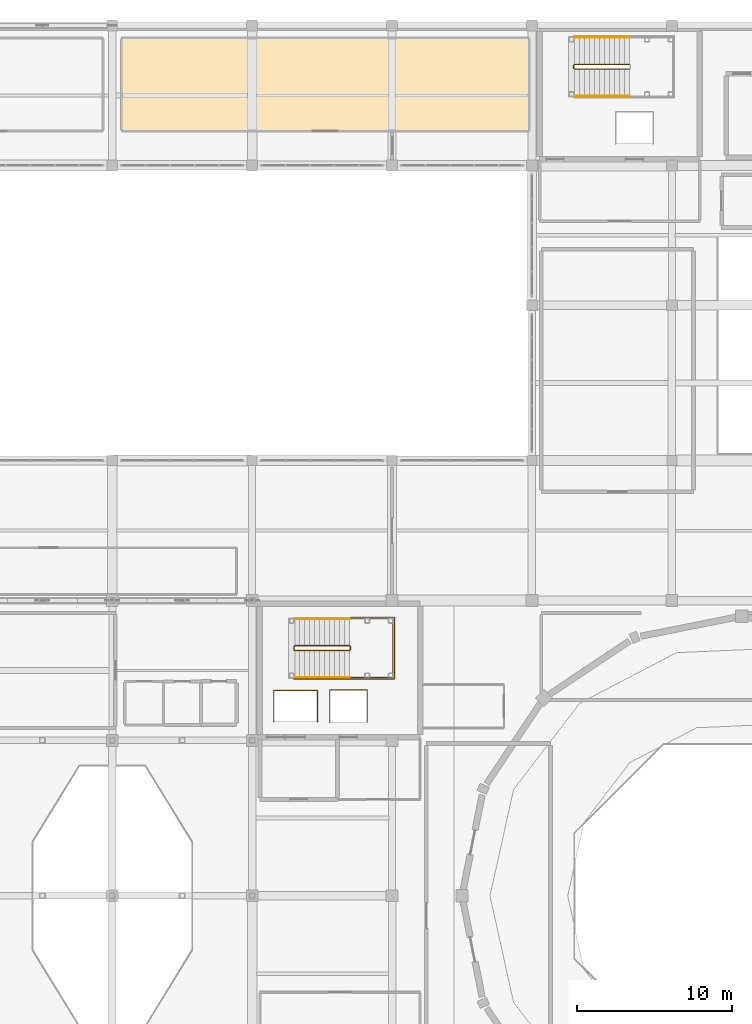
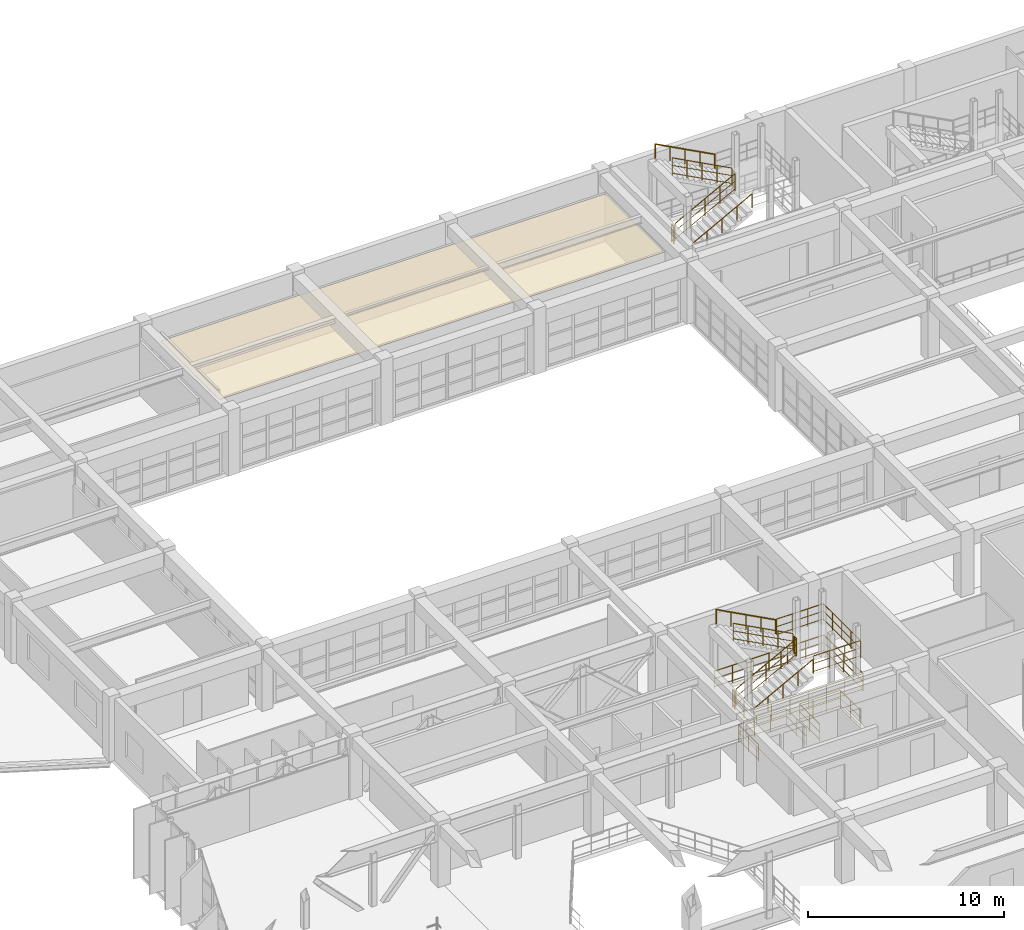
# One storey, part 126 of 130: 15 railings, 1 covering.
"""IFC4 building model written with IfcOpenShell, lengths in metres."""

from ifc_helpers import new_model, si_unit, direction, frame, origin, origin_2d, place, context, subcontext, project, spatial, polyline, circle, outline, extrude, material, layer, layer_set, type_object, element, save


model = new_model("IFC4")

# Units and contexts
model_context = context("Model", 3, precision=1e-05, world=origin(), true_north=direction((0.0, 1.0)))
body_context = subcontext(model_context, "Body", "Model", "MODEL_VIEW")
ifc_project = project(units=[si_unit("LENGTHUNIT", "METRE"), si_unit("AREAUNIT", "SQUARE_METRE"), si_unit("VOLUMEUNIT", "CUBIC_METRE"), si_unit("PLANEANGLEUNIT", "RADIAN"), si_unit("MASSUNIT", "GRAM", prefix="KILO")], contexts=[model_context])

# Site, building, storey
site_placement = place(None, origin())
site = spatial("IfcSite", under=ifc_project, at=site_placement, CompositionType="ELEMENT")
building_placement = place(site_placement, origin())
building = spatial("IfcBuilding", under=site, at=building_placement, Name="Miravela Opera House", CompositionType="ELEMENT")
storey_placement = place(building_placement, frame((0.0, 0.0, 9.52001953125)))
storey = spatial("IfcBuildingStorey", under=building, at=storey_placement, Name="L02", CompositionType="ELEMENT", Elevation=9.52001953125)

# Covering
ifc_material_1 = material(Name="Suspended acoustic gypsum board ceiling")
ifc_layer = layer(ifc_material_1, 0.02392578125)
ifc_layer_set = layer_set([ifc_layer])
covering_type = type_object("IfcCoveringType", Name="ARC-CEIL-GYPSUM-24", PredefinedType="CEILING", material=ifc_layer_set)
covering_placement = place(storey_placement, frame((0.0, 0.0, 2.889892578125)))
element("IfcCovering", 1, at=covering_placement, inside=storey, type_object=covering_type, Name="Orchestra Rehearsal Hall Acoustic Ceiling", PredefinedType="CEILING", context=body_context, shape_type="SweptSolid", body=[
    extrude(outline(polyline([(36.60009765625, 105.199951171875), (62.800048828125, 105.199951171875), (62.800048828125, 111.199951171875), (36.60009765625, 111.199951171875), (36.60009765625, 105.199951171875)])), origin(), (0.0, 0.0, 1.0), 0.024169921875),
])

# Railings
ifc_material_2 = material(Name="Brushed bronze continuous stair handrail")
railing_type_1 = type_object("IfcRailingType", Name="ARC-RAIL-HAND-900", PredefinedType="HANDRAIL", material=ifc_material_2)
railing_1_placement = place(storey_placement, frame((47.739990234375, 70.050048828125, 0.169921875)))
element("IfcRailing", 2, at=railing_1_placement, inside=storey, type_object=railing_type_1, Name="L02 ST-01 stair handrail 1", PredefinedType="HANDRAIL", context=body_context, shape_type="SweptSolid", body=[
    extrude(circle(Radius=0.02392578125, at=origin_2d()), frame((0.0, 0.0, 0.8759765625), z_axis=(0.883104616746, 0.0, 0.469176124586), x_axis=(0.0, 1.0, 0.0)), (0.0, 0.0, 1.0), 3.98583984375),
    extrude(circle(Radius=0.02099609375, at=origin_2d()), origin(), (0.0, 0.0, 1.0), 0.851806640625),
    extrude(circle(Radius=0.02099609375, at=origin_2d()), frame((0.8798828125, 0.0, 0.467529296875)), (0.0, 0.0, 1.0), 0.851806640625),
    extrude(circle(Radius=0.02099609375, at=origin_2d()), frame((1.760009765625, 0.0, 0.93505859375)), (0.0, 0.0, 1.0), 0.851806640625),
    extrude(circle(Radius=0.02099609375, at=origin_2d()), frame((2.64013671875, 0.0, 1.402587890625)), (0.0, 0.0, 1.0), 0.851806640625),
    extrude(circle(Radius=0.02099609375, at=origin_2d()), frame((3.52001953125, 0.0, 1.8701171875)), (0.0, 0.0, 1.0), 0.851806640625),
])
railing_2_placement = place(storey_placement, frame((51.260009765625, 73.830078125, 2.2099609375)))
element("IfcRailing", 3, at=railing_2_placement, inside=storey, type_object=railing_type_1, Name="L02 ST-01 stair handrail 2", PredefinedType="HANDRAIL", context=body_context, shape_type="SweptSolid", body=[
    extrude(circle(Radius=0.02392578125, at=origin_2d()), frame((0.0, 0.0, 0.8759765625), z_axis=(-0.883104616746, 0.0, 0.469176124586), x_axis=(0.0, -1.0, 0.0)), (0.0, 0.0, 1.0), 3.98583984375),
    extrude(circle(Radius=0.02099609375, at=origin_2d()), origin(), (0.0, 0.0, 1.0), 0.851806640625),
    extrude(circle(Radius=0.02099609375, at=origin_2d()), frame((-0.8798828125, 0.0, 0.467529296875)), (0.0, 0.0, 1.0), 0.851806640625),
    extrude(circle(Radius=0.02099609375, at=origin_2d()), frame((-1.760009765625, 0.0, 0.93505859375)), (0.0, 0.0, 1.0), 0.851806640625),
    extrude(circle(Radius=0.02099609375, at=origin_2d()), frame((-2.64013671875, 0.0, 1.402587890625)), (0.0, 0.0, 1.0), 0.851806640625),
    extrude(circle(Radius=0.02099609375, at=origin_2d()), frame((-3.52001953125, 0.0, 1.8701171875)), (0.0, 0.0, 1.0), 0.851806640625),
])
railing_3_placement = place(storey_placement, frame((65.739990234375, 107.449951171875, 0.169921875)))
element("IfcRailing", 4, at=railing_3_placement, inside=storey, type_object=railing_type_1, Name="L02 ST-05 stair handrail 1", PredefinedType="HANDRAIL", context=body_context, shape_type="SweptSolid", body=[
    extrude(circle(Radius=0.02392578125, at=origin_2d()), frame((0.0, 0.0, 0.8759765625), z_axis=(0.883104616746, 0.0, 0.469176124586), x_axis=(0.0, 1.0, 0.0)), (0.0, 0.0, 1.0), 3.98583984375),
    extrude(circle(Radius=0.02099609375, at=origin_2d()), origin(), (0.0, 0.0, 1.0), 0.851806640625),
    extrude(circle(Radius=0.02099609375, at=origin_2d()), frame((0.8798828125, 0.0, 0.467529296875)), (0.0, 0.0, 1.0), 0.851806640625),
    extrude(circle(Radius=0.02099609375, at=origin_2d()), frame((1.760009765625, 0.0, 0.93505859375)), (0.0, 0.0, 1.0), 0.851806640625),
    extrude(circle(Radius=0.02099609375, at=origin_2d()), frame((2.64013671875, 0.0, 1.402587890625)), (0.0, 0.0, 1.0), 0.851806640625),
    extrude(circle(Radius=0.02099609375, at=origin_2d()), frame((3.52001953125, 0.0, 1.8701171875)), (0.0, 0.0, 1.0), 0.851806640625),
])
railing_4_placement = place(storey_placement, frame((69.260009765625, 111.22998046875, 2.2099609375)))
element("IfcRailing", 5, at=railing_4_placement, inside=storey, type_object=railing_type_1, Name="L02 ST-05 stair handrail 2", PredefinedType="HANDRAIL", context=body_context, shape_type="SweptSolid", body=[
    extrude(circle(Radius=0.02392578125, at=origin_2d()), frame((0.0, 0.0, 0.8759765625), z_axis=(-0.883104616746, 0.0, 0.469176124586), x_axis=(0.0, -1.0, 0.0)), (0.0, 0.0, 1.0), 3.98583984375),
    extrude(circle(Radius=0.02099609375, at=origin_2d()), origin(), (0.0, 0.0, 1.0), 0.851806640625),
    extrude(circle(Radius=0.02099609375, at=origin_2d()), frame((-0.8798828125, 0.0, 0.467529296875)), (0.0, 0.0, 1.0), 0.851806640625),
    extrude(circle(Radius=0.02099609375, at=origin_2d()), frame((-1.760009765625, 0.0, 0.93505859375)), (0.0, 0.0, 1.0), 0.851806640625),
    extrude(circle(Radius=0.02099609375, at=origin_2d()), frame((-2.64013671875, 0.0, 1.402587890625)), (0.0, 0.0, 1.0), 0.851806640625),
    extrude(circle(Radius=0.02099609375, at=origin_2d()), frame((-3.52001953125, 0.0, 1.8701171875)), (0.0, 0.0, 1.0), 0.851806640625),
])
ifc_material_3 = material(Name="Painted wrought-iron stair guardrail")
railing_type_2 = type_object("IfcRailingType", Name="ARC-RAIL-STAIR-GUARD", PredefinedType="GUARDRAIL", material=ifc_material_3)
railing_5_placement = place(storey_placement, frame((47.739990234375, 71.7900390625, 0.169921875)))
element("IfcRailing", 6, at=railing_5_placement, inside=storey, type_object=railing_type_2, Name="L02 ST-01 stair guard 1", PredefinedType="GUARDRAIL", context=body_context, shape_type="SweptSolid", body=[
    extrude(circle(Radius=0.02392578125, at=origin_2d()), frame((0.0, 0.0, 1.076171875), z_axis=(0.883104616746, 0.0, 0.469176124586), x_axis=(0.0, 1.0, 0.0)), (0.0, 0.0, 1.0), 3.98583984375),
    extrude(circle(Radius=0.01611328125, at=origin_2d()), frame((0.0, 0.0, 0.60498046875), z_axis=(0.883104616746, 0.0, 0.469176124586), x_axis=(0.0, 1.0, 0.0)), (0.0, 0.0, 1.0), 3.98583984375),
    extrude(circle(Radius=0.01611328125, at=origin_2d()), frame((0.0, 0.0, 0.1201171875), z_axis=(0.883104616746, 0.0, 0.469176124586), x_axis=(0.0, 1.0, 0.0)), (0.0, 0.0, 1.0), 3.98583984375),
    extrude(circle(Radius=0.02099609375, at=origin_2d()), origin(), (0.0, 0.0, 1.0), 1.052001953125),
    extrude(circle(Radius=0.02099609375, at=origin_2d()), frame((0.8798828125, 0.0, 0.467529296875)), (0.0, 0.0, 1.0), 1.052001953125),
    extrude(circle(Radius=0.02099609375, at=origin_2d()), frame((1.760009765625, 0.0, 0.93505859375)), (0.0, 0.0, 1.0), 1.052001953125),
    extrude(circle(Radius=0.02099609375, at=origin_2d()), frame((2.64013671875, 0.0, 1.402587890625)), (0.0, 0.0, 1.0), 1.052001953125),
    extrude(circle(Radius=0.02099609375, at=origin_2d()), frame((3.52001953125, 0.0, 1.8701171875)), (0.0, 0.0, 1.0), 1.052001953125),
])
railing_6_placement = place(storey_placement, frame((51.31005859375, 71.840087890625, 2.0400390625)))
element("IfcRailing", 7, at=railing_6_placement, inside=storey, type_object=railing_type_2, Name="L02 ST-01 stair guard 2", PredefinedType="GUARDRAIL", context=body_context, shape_type="SweptSolid", body=[
    extrude(circle(Radius=0.02392578125, at=origin_2d()), frame((0.0, 0.0, 1.076171875), z_axis=(0.0, 1.0, 0.0), x_axis=(-1.0, 0.0, 0.0)), (0.0, 0.0, 1.0), 0.199951171875),
    extrude(circle(Radius=0.01611328125, at=origin_2d()), frame((0.0, 0.0, 0.60498046875), z_axis=(0.0, 1.0, 0.0), x_axis=(-1.0, 0.0, 0.0)), (0.0, 0.0, 1.0), 0.199951171875),
    extrude(circle(Radius=0.01611328125, at=origin_2d()), frame((0.0, 0.0, 0.1201171875), z_axis=(0.0, 1.0, 0.0), x_axis=(-1.0, 0.0, 0.0)), (0.0, 0.0, 1.0), 0.199951171875),
    extrude(circle(Radius=0.02099609375, at=origin_2d()), origin(), (0.0, 0.0, 1.0), 1.052001953125),
    extrude(circle(Radius=0.02099609375, at=origin_2d()), frame((0.0, 0.199951171875, 0.0)), (0.0, 0.0, 1.0), 1.052001953125),
])
railing_7_placement = place(storey_placement, frame((51.260009765625, 72.090087890625, 2.2099609375)))
element("IfcRailing", 8, at=railing_7_placement, inside=storey, type_object=railing_type_2, Name="L02 ST-01 stair guard 3", PredefinedType="GUARDRAIL", context=body_context, shape_type="SweptSolid", body=[
    extrude(circle(Radius=0.02392578125, at=origin_2d()), frame((0.0, 0.0, 1.076171875), z_axis=(-0.883104616746, 0.0, 0.469176124586), x_axis=(0.0, -1.0, 0.0)), (0.0, 0.0, 1.0), 3.98583984375),
    extrude(circle(Radius=0.01611328125, at=origin_2d()), frame((0.0, 0.0, 0.60498046875), z_axis=(-0.883104616746, 0.0, 0.469176124586), x_axis=(0.0, -1.0, 0.0)), (0.0, 0.0, 1.0), 3.98583984375),
    extrude(circle(Radius=0.01611328125, at=origin_2d()), frame((0.0, 0.0, 0.1201171875), z_axis=(-0.883104616746, 0.0, 0.469176124586), x_axis=(0.0, -1.0, 0.0)), (0.0, 0.0, 1.0), 3.98583984375),
    extrude(circle(Radius=0.02099609375, at=origin_2d()), origin(), (0.0, 0.0, 1.0), 1.052001953125),
    extrude(circle(Radius=0.02099609375, at=origin_2d()), frame((-0.8798828125, 0.0, 0.467529296875)), (0.0, 0.0, 1.0), 1.052001953125),
    extrude(circle(Radius=0.02099609375, at=origin_2d()), frame((-1.760009765625, 0.0, 0.93505859375)), (0.0, 0.0, 1.0), 1.052001953125),
    extrude(circle(Radius=0.02099609375, at=origin_2d()), frame((-2.64013671875, 0.0, 1.402587890625)), (0.0, 0.0, 1.0), 1.052001953125),
    extrude(circle(Radius=0.02099609375, at=origin_2d()), frame((-3.52001953125, 0.0, 1.8701171875)), (0.0, 0.0, 1.0), 1.052001953125),
])
railing_8_placement = place(storey_placement, frame((47.68994140625, 71.840087890625, 0.0)))
element("IfcRailing", 9, at=railing_8_placement, inside=storey, type_object=railing_type_2, Name="L02 ST-01 stair guard 4", PredefinedType="GUARDRAIL", context=body_context, shape_type="SweptSolid", body=[
    extrude(circle(Radius=0.02392578125, at=origin_2d()), frame((0.0, 0.0, 1.076171875), z_axis=(0.0, 1.0, 0.0), x_axis=(-1.0, 0.0, 0.0)), (0.0, 0.0, 1.0), 0.199951171875),
    extrude(circle(Radius=0.01611328125, at=origin_2d()), frame((0.0, 0.0, 0.60498046875), z_axis=(0.0, 1.0, 0.0), x_axis=(-1.0, 0.0, 0.0)), (0.0, 0.0, 1.0), 0.199951171875),
    extrude(circle(Radius=0.01611328125, at=origin_2d()), frame((0.0, 0.0, 0.1201171875), z_axis=(0.0, 1.0, 0.0), x_axis=(-1.0, 0.0, 0.0)), (0.0, 0.0, 1.0), 0.199951171875),
    extrude(circle(Radius=0.02099609375, at=origin_2d()), origin(), (0.0, 0.0, 1.0), 1.052001953125),
    extrude(circle(Radius=0.02099609375, at=origin_2d()), frame((0.0, 0.199951171875, 0.0)), (0.0, 0.0, 1.0), 1.052001953125),
])
railing_9_placement = place(storey_placement, frame((51.31005859375, 70.050048828125, 2.0400390625)))
element("IfcRailing", 10, at=railing_9_placement, inside=storey, type_object=railing_type_2, Name="Stair ST-01 Half-Landing Perimeter Guard (L02) 0004", PredefinedType="GUARDRAIL", context=body_context, shape_type="SweptSolid", body=[
    extrude(circle(Radius=0.02392578125, at=origin_2d()), frame((0.0, 0.0, 1.076171875), z_axis=(1.0, 0.0, 0.0), x_axis=(0.0, 1.0, 0.0)), (0.0, 0.0, 1.0), 2.739990234375),
    extrude(circle(Radius=0.01611328125, at=origin_2d()), frame((0.0, 0.0, 0.60498046875), z_axis=(1.0, 0.0, 0.0), x_axis=(0.0, 1.0, 0.0)), (0.0, 0.0, 1.0), 2.739990234375),
    extrude(circle(Radius=0.01611328125, at=origin_2d()), frame((0.0, 0.0, 0.1201171875), z_axis=(1.0, 0.0, 0.0), x_axis=(0.0, 1.0, 0.0)), (0.0, 0.0, 1.0), 2.739990234375),
    extrude(circle(Radius=0.02392578125, at=origin_2d()), frame((2.739990234375, 0.0, 1.076171875), z_axis=(0.0, 1.0, 0.0), x_axis=(-1.0, 0.0, 0.0)), (0.0, 0.0, 1.0), 3.780029296875),
    extrude(circle(Radius=0.01611328125, at=origin_2d()), frame((2.739990234375, 0.0, 0.60498046875), z_axis=(0.0, 1.0, 0.0), x_axis=(-1.0, 0.0, 0.0)), (0.0, 0.0, 1.0), 3.780029296875),
    extrude(circle(Radius=0.01611328125, at=origin_2d()), frame((2.739990234375, 0.0, 0.1201171875), z_axis=(0.0, 1.0, 0.0), x_axis=(-1.0, 0.0, 0.0)), (0.0, 0.0, 1.0), 3.780029296875),
    extrude(circle(Radius=0.02392578125, at=origin_2d()), frame((2.739990234375, 3.780029296875, 1.076171875), z_axis=(-1.0, 0.0, 0.0), x_axis=(0.0, -1.0, 0.0)), (0.0, 0.0, 1.0), 2.739990234375),
    extrude(circle(Radius=0.01611328125, at=origin_2d()), frame((2.739990234375, 3.780029296875, 0.60498046875), z_axis=(-1.0, 0.0, 0.0), x_axis=(0.0, -1.0, 0.0)), (0.0, 0.0, 1.0), 2.739990234375),
    extrude(circle(Radius=0.01611328125, at=origin_2d()), frame((2.739990234375, 3.780029296875, 0.1201171875), z_axis=(-1.0, 0.0, 0.0), x_axis=(0.0, -1.0, 0.0)), (0.0, 0.0, 1.0), 2.739990234375),
    extrude(circle(Radius=0.02099609375, at=origin_2d()), origin(), (0.0, 0.0, 1.0), 1.052001953125),
    extrude(circle(Radius=0.02099609375, at=origin_2d()), frame((0.913330078125, 0.0, 0.0)), (0.0, 0.0, 1.0), 1.052001953125),
    extrude(circle(Radius=0.02099609375, at=origin_2d()), frame((1.82666015625, 0.0, 0.0)), (0.0, 0.0, 1.0), 1.052001953125),
    extrude(circle(Radius=0.02099609375, at=origin_2d()), frame((2.739990234375, 0.0, 0.0)), (0.0, 0.0, 1.0), 1.052001953125),
    extrude(circle(Radius=0.02099609375, at=origin_2d()), frame((2.739990234375, 0.945068359375, 0.0)), (0.0, 0.0, 1.0), 1.052001953125),
    extrude(circle(Radius=0.02099609375, at=origin_2d()), frame((2.739990234375, 1.89013671875, 0.0)), (0.0, 0.0, 1.0), 1.052001953125),
    extrude(circle(Radius=0.02099609375, at=origin_2d()), frame((2.739990234375, 2.8349609375, 0.0)), (0.0, 0.0, 1.0), 1.052001953125),
    extrude(circle(Radius=0.02099609375, at=origin_2d()), frame((2.739990234375, 3.780029296875, 0.0)), (0.0, 0.0, 1.0), 1.052001953125),
    extrude(circle(Radius=0.02099609375, at=origin_2d()), frame((1.82666015625, 3.780029296875, 0.0)), (0.0, 0.0, 1.0), 1.052001953125),
    extrude(circle(Radius=0.02099609375, at=origin_2d()), frame((0.913330078125, 3.780029296875, 0.0)), (0.0, 0.0, 1.0), 1.052001953125),
    extrude(circle(Radius=0.02099609375, at=origin_2d()), frame((0.0, 3.780029296875, 0.0)), (0.0, 0.0, 1.0), 1.052001953125),
])
railing_10_placement = place(storey_placement, frame((47.68994140625, 71.8701171875, 0.0)))
element("IfcRailing", 11, at=railing_10_placement, inside=storey, type_object=railing_type_2, Name="Stair ST-01 Well Slab Opening Guard (L02) 0009", PredefinedType="GUARDRAIL", context=body_context, shape_type="SweptSolid", body=[
    extrude(circle(Radius=0.02392578125, at=origin_2d()), frame((0.0, 0.0, 1.076171875), z_axis=(0.0, -1.0, 0.0), x_axis=(1.0, 0.0, 0.0)), (0.0, 0.0, 1.0), 1.920166015625),
    extrude(circle(Radius=0.01611328125, at=origin_2d()), frame((0.0, 0.0, 0.60498046875), z_axis=(0.0, -1.0, 0.0), x_axis=(1.0, 0.0, 0.0)), (0.0, 0.0, 1.0), 1.920166015625),
    extrude(circle(Radius=0.01611328125, at=origin_2d()), frame((0.0, 0.0, 0.1201171875), z_axis=(0.0, -1.0, 0.0), x_axis=(1.0, 0.0, 0.0)), (0.0, 0.0, 1.0), 1.920166015625),
    extrude(circle(Radius=0.02392578125, at=origin_2d()), frame((0.0, -1.920166015625, 1.076171875), z_axis=(1.0, 0.0, 0.0), x_axis=(0.0, 1.0, 0.0)), (0.0, 0.0, 1.0), 6.4599609375),
    extrude(circle(Radius=0.01611328125, at=origin_2d()), frame((0.0, -1.920166015625, 0.60498046875), z_axis=(1.0, 0.0, 0.0), x_axis=(0.0, 1.0, 0.0)), (0.0, 0.0, 1.0), 6.4599609375),
    extrude(circle(Radius=0.01611328125, at=origin_2d()), frame((0.0, -1.920166015625, 0.1201171875), z_axis=(1.0, 0.0, 0.0), x_axis=(0.0, 1.0, 0.0)), (0.0, 0.0, 1.0), 6.4599609375),
    extrude(circle(Radius=0.02392578125, at=origin_2d()), frame((6.4599609375, -1.920166015625, 1.076171875), z_axis=(0.0, 1.0, 0.0), x_axis=(-1.0, 0.0, 0.0)), (0.0, 0.0, 1.0), 3.97998046875),
    extrude(circle(Radius=0.01611328125, at=origin_2d()), frame((6.4599609375, -1.920166015625, 0.60498046875), z_axis=(0.0, 1.0, 0.0), x_axis=(-1.0, 0.0, 0.0)), (0.0, 0.0, 1.0), 3.97998046875),
    extrude(circle(Radius=0.01611328125, at=origin_2d()), frame((6.4599609375, -1.920166015625, 0.1201171875), z_axis=(0.0, 1.0, 0.0), x_axis=(-1.0, 0.0, 0.0)), (0.0, 0.0, 1.0), 3.97998046875),
    extrude(circle(Radius=0.02392578125, at=origin_2d()), frame((6.4599609375, 2.059814453125, 1.076171875), z_axis=(-1.0, 0.0, 0.0), x_axis=(0.0, -1.0, 0.0)), (0.0, 0.0, 1.0), 6.4599609375),
    extrude(circle(Radius=0.01611328125, at=origin_2d()), frame((6.4599609375, 2.059814453125, 0.60498046875), z_axis=(-1.0, 0.0, 0.0), x_axis=(0.0, -1.0, 0.0)), (0.0, 0.0, 1.0), 6.4599609375),
    extrude(circle(Radius=0.01611328125, at=origin_2d()), frame((6.4599609375, 2.059814453125, 0.1201171875), z_axis=(-1.0, 0.0, 0.0), x_axis=(0.0, -1.0, 0.0)), (0.0, 0.0, 1.0), 6.4599609375),
    extrude(circle(Radius=0.02099609375, at=origin_2d()), origin(), (0.0, 0.0, 1.0), 1.052001953125),
    extrude(circle(Radius=0.02099609375, at=origin_2d()), frame((0.0, -0.9599609375, 0.0)), (0.0, 0.0, 1.0), 1.052001953125),
    extrude(circle(Radius=0.02099609375, at=origin_2d()), frame((0.0, -1.920166015625, 0.0)), (0.0, 0.0, 1.0), 1.052001953125),
    extrude(circle(Radius=0.02099609375, at=origin_2d()), frame((1.07666015625, -1.920166015625, 0.0)), (0.0, 0.0, 1.0), 1.052001953125),
    extrude(circle(Radius=0.02099609375, at=origin_2d()), frame((2.1533203125, -1.920166015625, 0.0)), (0.0, 0.0, 1.0), 1.052001953125),
    extrude(circle(Radius=0.02099609375, at=origin_2d()), frame((3.22998046875, -1.920166015625, 0.0)), (0.0, 0.0, 1.0), 1.052001953125),
    extrude(circle(Radius=0.02099609375, at=origin_2d()), frame((4.306640625, -1.920166015625, 0.0)), (0.0, 0.0, 1.0), 1.052001953125),
    extrude(circle(Radius=0.02099609375, at=origin_2d()), frame((5.38330078125, -1.920166015625, 0.0)), (0.0, 0.0, 1.0), 1.052001953125),
    extrude(circle(Radius=0.02099609375, at=origin_2d()), frame((6.4599609375, -1.920166015625, 0.0)), (0.0, 0.0, 1.0), 1.052001953125),
    extrude(circle(Radius=0.02099609375, at=origin_2d()), frame((6.4599609375, -0.92529296875, 0.0)), (0.0, 0.0, 1.0), 1.052001953125),
    extrude(circle(Radius=0.02099609375, at=origin_2d()), frame((6.4599609375, 0.06982421875, 0.0)), (0.0, 0.0, 1.0), 1.052001953125),
    extrude(circle(Radius=0.02099609375, at=origin_2d()), frame((6.4599609375, 1.06494140625, 0.0)), (0.0, 0.0, 1.0), 1.052001953125),
    extrude(circle(Radius=0.02099609375, at=origin_2d()), frame((6.4599609375, 2.059814453125, 0.0)), (0.0, 0.0, 1.0), 1.052001953125),
    extrude(circle(Radius=0.02099609375, at=origin_2d()), frame((5.38330078125, 2.059814453125, 0.0)), (0.0, 0.0, 1.0), 1.052001953125),
    extrude(circle(Radius=0.02099609375, at=origin_2d()), frame((4.306640625, 2.059814453125, 0.0)), (0.0, 0.0, 1.0), 1.052001953125),
    extrude(circle(Radius=0.02099609375, at=origin_2d()), frame((3.22998046875, 2.059814453125, 0.0)), (0.0, 0.0, 1.0), 1.052001953125),
    extrude(circle(Radius=0.02099609375, at=origin_2d()), frame((2.1533203125, 2.059814453125, 0.0)), (0.0, 0.0, 1.0), 1.052001953125),
    extrude(circle(Radius=0.02099609375, at=origin_2d()), frame((1.07666015625, 2.059814453125, 0.0)), (0.0, 0.0, 1.0), 1.052001953125),
    extrude(circle(Radius=0.02099609375, at=origin_2d()), frame((0.0, 2.059814453125, 0.0)), (0.0, 0.0, 1.0), 1.052001953125),
])
railing_11_placement = place(storey_placement, frame((65.739990234375, 109.18994140625, 0.169921875)))
element("IfcRailing", 12, at=railing_11_placement, inside=storey, type_object=railing_type_2, Name="L02 ST-05 stair guard 1", PredefinedType="GUARDRAIL", context=body_context, shape_type="SweptSolid", body=[
    extrude(circle(Radius=0.02392578125, at=origin_2d()), frame((0.0, 0.0, 1.076171875), z_axis=(0.883104616746, 0.0, 0.469176124586), x_axis=(0.0, 1.0, 0.0)), (0.0, 0.0, 1.0), 3.98583984375),
    extrude(circle(Radius=0.01611328125, at=origin_2d()), frame((0.0, 0.0, 0.60498046875), z_axis=(0.883104616746, 0.0, 0.469176124586), x_axis=(0.0, 1.0, 0.0)), (0.0, 0.0, 1.0), 3.98583984375),
    extrude(circle(Radius=0.01611328125, at=origin_2d()), frame((0.0, 0.0, 0.1201171875), z_axis=(0.883104616746, 0.0, 0.469176124586), x_axis=(0.0, 1.0, 0.0)), (0.0, 0.0, 1.0), 3.98583984375),
    extrude(circle(Radius=0.02099609375, at=origin_2d()), origin(), (0.0, 0.0, 1.0), 1.052001953125),
    extrude(circle(Radius=0.02099609375, at=origin_2d()), frame((0.8798828125, 0.0, 0.467529296875)), (0.0, 0.0, 1.0), 1.052001953125),
    extrude(circle(Radius=0.02099609375, at=origin_2d()), frame((1.760009765625, 0.0, 0.93505859375)), (0.0, 0.0, 1.0), 1.052001953125),
    extrude(circle(Radius=0.02099609375, at=origin_2d()), frame((2.64013671875, 0.0, 1.402587890625)), (0.0, 0.0, 1.0), 1.052001953125),
    extrude(circle(Radius=0.02099609375, at=origin_2d()), frame((3.52001953125, 0.0, 1.8701171875)), (0.0, 0.0, 1.0), 1.052001953125),
])
railing_12_placement = place(storey_placement, frame((69.260009765625, 109.489990234375, 2.2099609375)))
element("IfcRailing", 13, at=railing_12_placement, inside=storey, type_object=railing_type_2, Name="L02 ST-05 stair guard 3", PredefinedType="GUARDRAIL", context=body_context, shape_type="SweptSolid", body=[
    extrude(circle(Radius=0.02392578125, at=origin_2d()), frame((0.0, 0.0, 1.076171875), z_axis=(-0.883104616746, 0.0, 0.469176124586), x_axis=(0.0, -1.0, 0.0)), (0.0, 0.0, 1.0), 3.98583984375),
    extrude(circle(Radius=0.01611328125, at=origin_2d()), frame((0.0, 0.0, 0.60498046875), z_axis=(-0.883104616746, 0.0, 0.469176124586), x_axis=(0.0, -1.0, 0.0)), (0.0, 0.0, 1.0), 3.98583984375),
    extrude(circle(Radius=0.01611328125, at=origin_2d()), frame((0.0, 0.0, 0.1201171875), z_axis=(-0.883104616746, 0.0, 0.469176124586), x_axis=(0.0, -1.0, 0.0)), (0.0, 0.0, 1.0), 3.98583984375),
    extrude(circle(Radius=0.02099609375, at=origin_2d()), origin(), (0.0, 0.0, 1.0), 1.052001953125),
    extrude(circle(Radius=0.02099609375, at=origin_2d()), frame((-0.8798828125, 0.0, 0.467529296875)), (0.0, 0.0, 1.0), 1.052001953125),
    extrude(circle(Radius=0.02099609375, at=origin_2d()), frame((-1.760009765625, 0.0, 0.93505859375)), (0.0, 0.0, 1.0), 1.052001953125),
    extrude(circle(Radius=0.02099609375, at=origin_2d()), frame((-2.64013671875, 0.0, 1.402587890625)), (0.0, 0.0, 1.0), 1.052001953125),
    extrude(circle(Radius=0.02099609375, at=origin_2d()), frame((-3.52001953125, 0.0, 1.8701171875)), (0.0, 0.0, 1.0), 1.052001953125),
])
railing_13_placement = place(storey_placement, frame((65.68994140625, 109.239990234375, 0.0)))
element("IfcRailing", 14, at=railing_13_placement, inside=storey, type_object=railing_type_2, Name="L02 ST-05 stair guard 4", PredefinedType="GUARDRAIL", context=body_context, shape_type="SweptSolid", body=[
    extrude(circle(Radius=0.02392578125, at=origin_2d()), frame((0.0, 0.0, 1.076171875), z_axis=(0.0, 1.0, 0.0), x_axis=(-1.0, 0.0, 0.0)), (0.0, 0.0, 1.0), 0.199951171875),
    extrude(circle(Radius=0.01611328125, at=origin_2d()), frame((0.0, 0.0, 0.60498046875), z_axis=(0.0, 1.0, 0.0), x_axis=(-1.0, 0.0, 0.0)), (0.0, 0.0, 1.0), 0.199951171875),
    extrude(circle(Radius=0.01611328125, at=origin_2d()), frame((0.0, 0.0, 0.1201171875), z_axis=(0.0, 1.0, 0.0), x_axis=(-1.0, 0.0, 0.0)), (0.0, 0.0, 1.0), 0.199951171875),
    extrude(circle(Radius=0.02099609375, at=origin_2d()), origin(), (0.0, 0.0, 1.0), 1.052001953125),
    extrude(circle(Radius=0.02099609375, at=origin_2d()), frame((0.0, 0.199951171875, 0.0)), (0.0, 0.0, 1.0), 1.052001953125),
])
railing_14_placement = place(storey_placement, frame((46.389892578125, 67.18505859375, 0.0)))
element("IfcRailing", 15, at=railing_14_placement, inside=storey, type_object=railing_type_2, Name="Lift FFL-01 Hoistway Slab Opening Guard (L02) 0095", PredefinedType="GUARDRAIL", context=body_context, shape_type="SweptSolid", body=[
    extrude(circle(Radius=0.02392578125, at=origin_2d()), frame((0.0, 0.0, 1.076171875), z_axis=(0.0, 1.0, 0.0), x_axis=(-1.0, 0.0, 0.0)), (0.0, 0.0, 1.0), 2.030029296875),
    extrude(circle(Radius=0.01611328125, at=origin_2d()), frame((0.0, 0.0, 0.60498046875), z_axis=(0.0, 1.0, 0.0), x_axis=(-1.0, 0.0, 0.0)), (0.0, 0.0, 1.0), 2.030029296875),
    extrude(circle(Radius=0.01611328125, at=origin_2d()), frame((0.0, 0.0, 0.1201171875), z_axis=(0.0, 1.0, 0.0), x_axis=(-1.0, 0.0, 0.0)), (0.0, 0.0, 1.0), 2.030029296875),
    extrude(circle(Radius=0.02392578125, at=origin_2d()), frame((0.0, 2.030029296875, 1.076171875), z_axis=(1.0, 0.0, 0.0), x_axis=(0.0, 1.0, 0.0)), (0.0, 0.0, 1.0), 2.820068359375),
    extrude(circle(Radius=0.01611328125, at=origin_2d()), frame((0.0, 2.030029296875, 0.60498046875), z_axis=(1.0, 0.0, 0.0), x_axis=(0.0, 1.0, 0.0)), (0.0, 0.0, 1.0), 2.820068359375),
    extrude(circle(Radius=0.01611328125, at=origin_2d()), frame((0.0, 2.030029296875, 0.1201171875), z_axis=(1.0, 0.0, 0.0), x_axis=(0.0, 1.0, 0.0)), (0.0, 0.0, 1.0), 2.820068359375),
    extrude(circle(Radius=0.02392578125, at=origin_2d()), frame((2.820068359375, 2.030029296875, 1.076171875), z_axis=(0.0, -1.0, 0.0), x_axis=(1.0, 0.0, 0.0)), (0.0, 0.0, 1.0), 2.030029296875),
    extrude(circle(Radius=0.01611328125, at=origin_2d()), frame((2.820068359375, 2.030029296875, 0.60498046875), z_axis=(0.0, -1.0, 0.0), x_axis=(1.0, 0.0, 0.0)), (0.0, 0.0, 1.0), 2.030029296875),
    extrude(circle(Radius=0.01611328125, at=origin_2d()), frame((2.820068359375, 2.030029296875, 0.1201171875), z_axis=(0.0, -1.0, 0.0), x_axis=(1.0, 0.0, 0.0)), (0.0, 0.0, 1.0), 2.030029296875),
    extrude(circle(Radius=0.02099609375, at=origin_2d()), origin(), (0.0, 0.0, 1.0), 1.052001953125),
    extrude(circle(Radius=0.02099609375, at=origin_2d()), frame((0.0, 1.01513671875, 0.0)), (0.0, 0.0, 1.0), 1.052001953125),
    extrude(circle(Radius=0.02099609375, at=origin_2d()), frame((0.0, 2.030029296875, 0.0)), (0.0, 0.0, 1.0), 1.052001953125),
    extrude(circle(Radius=0.02099609375, at=origin_2d()), frame((0.93994140625, 2.030029296875, 0.0)), (0.0, 0.0, 1.0), 1.052001953125),
    extrude(circle(Radius=0.02099609375, at=origin_2d()), frame((1.880126953125, 2.030029296875, 0.0)), (0.0, 0.0, 1.0), 1.052001953125),
    extrude(circle(Radius=0.02099609375, at=origin_2d()), frame((2.820068359375, 2.030029296875, 0.0)), (0.0, 0.0, 1.0), 1.052001953125),
    extrude(circle(Radius=0.02099609375, at=origin_2d()), frame((2.820068359375, 1.01513671875, 0.0)), (0.0, 0.0, 1.0), 1.052001953125),
    extrude(circle(Radius=0.02099609375, at=origin_2d()), frame((2.820068359375, 0.0, 0.0)), (0.0, 0.0, 1.0), 1.052001953125),
])
railing_15_placement = place(storey_placement, frame((49.989990234375, 67.159912109375, 0.0)))
element("IfcRailing", 16, at=railing_15_placement, inside=storey, type_object=railing_type_2, Name="Lift PL-01 Hoistway Slab Opening Guard (L02) 0101", PredefinedType="GUARDRAIL", context=body_context, shape_type="SweptSolid", body=[
    extrude(circle(Radius=0.02392578125, at=origin_2d()), frame((0.0, 0.0, 1.076171875), z_axis=(0.0, 1.0, 0.0), x_axis=(-1.0, 0.0, 0.0)), (0.0, 0.0, 1.0), 2.080078125),
    extrude(circle(Radius=0.01611328125, at=origin_2d()), frame((0.0, 0.0, 0.60498046875), z_axis=(0.0, 1.0, 0.0), x_axis=(-1.0, 0.0, 0.0)), (0.0, 0.0, 1.0), 2.080078125),
    extrude(circle(Radius=0.01611328125, at=origin_2d()), frame((0.0, 0.0, 0.1201171875), z_axis=(0.0, 1.0, 0.0), x_axis=(-1.0, 0.0, 0.0)), (0.0, 0.0, 1.0), 2.080078125),
    extrude(circle(Radius=0.02392578125, at=origin_2d()), frame((0.0, 2.080078125, 1.076171875), z_axis=(1.0, 0.0, 0.0), x_axis=(0.0, 1.0, 0.0)), (0.0, 0.0, 1.0), 2.419921875),
    extrude(circle(Radius=0.01611328125, at=origin_2d()), frame((0.0, 2.080078125, 0.60498046875), z_axis=(1.0, 0.0, 0.0), x_axis=(0.0, 1.0, 0.0)), (0.0, 0.0, 1.0), 2.419921875),
    extrude(circle(Radius=0.01611328125, at=origin_2d()), frame((0.0, 2.080078125, 0.1201171875), z_axis=(1.0, 0.0, 0.0), x_axis=(0.0, 1.0, 0.0)), (0.0, 0.0, 1.0), 2.419921875),
    extrude(circle(Radius=0.02392578125, at=origin_2d()), frame((2.419921875, 2.080078125, 1.076171875), z_axis=(0.0, -1.0, 0.0), x_axis=(1.0, 0.0, 0.0)), (0.0, 0.0, 1.0), 2.080078125),
    extrude(circle(Radius=0.01611328125, at=origin_2d()), frame((2.419921875, 2.080078125, 0.60498046875), z_axis=(0.0, -1.0, 0.0), x_axis=(1.0, 0.0, 0.0)), (0.0, 0.0, 1.0), 2.080078125),
    extrude(circle(Radius=0.01611328125, at=origin_2d()), frame((2.419921875, 2.080078125, 0.1201171875), z_axis=(0.0, -1.0, 0.0), x_axis=(1.0, 0.0, 0.0)), (0.0, 0.0, 1.0), 2.080078125),
    extrude(circle(Radius=0.02099609375, at=origin_2d()), origin(), (0.0, 0.0, 1.0), 1.052001953125),
    extrude(circle(Radius=0.02099609375, at=origin_2d()), frame((0.0, 1.0400390625, 0.0)), (0.0, 0.0, 1.0), 1.052001953125),
    extrude(circle(Radius=0.02099609375, at=origin_2d()), frame((0.0, 2.080078125, 0.0)), (0.0, 0.0, 1.0), 1.052001953125),
    extrude(circle(Radius=0.02099609375, at=origin_2d()), frame((0.806640625, 2.080078125, 0.0)), (0.0, 0.0, 1.0), 1.052001953125),
    extrude(circle(Radius=0.02099609375, at=origin_2d()), frame((1.61328125, 2.080078125, 0.0)), (0.0, 0.0, 1.0), 1.052001953125),
    extrude(circle(Radius=0.02099609375, at=origin_2d()), frame((2.419921875, 2.080078125, 0.0)), (0.0, 0.0, 1.0), 1.052001953125),
    extrude(circle(Radius=0.02099609375, at=origin_2d()), frame((2.419921875, 1.0400390625, 0.0)), (0.0, 0.0, 1.0), 1.052001953125),
    extrude(circle(Radius=0.02099609375, at=origin_2d()), frame((2.419921875, 0.0, 0.0)), (0.0, 0.0, 1.0), 1.052001953125),
])

save(model, "model.ifc")
